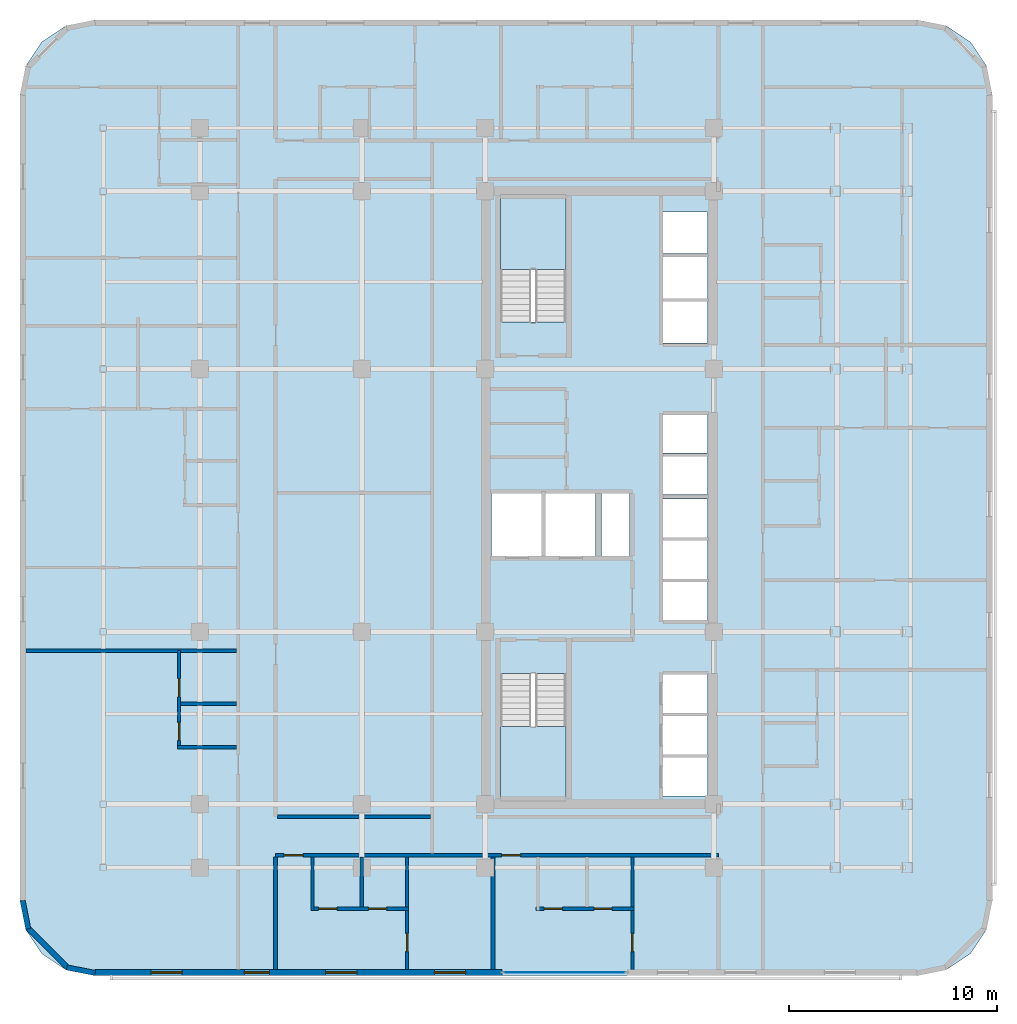
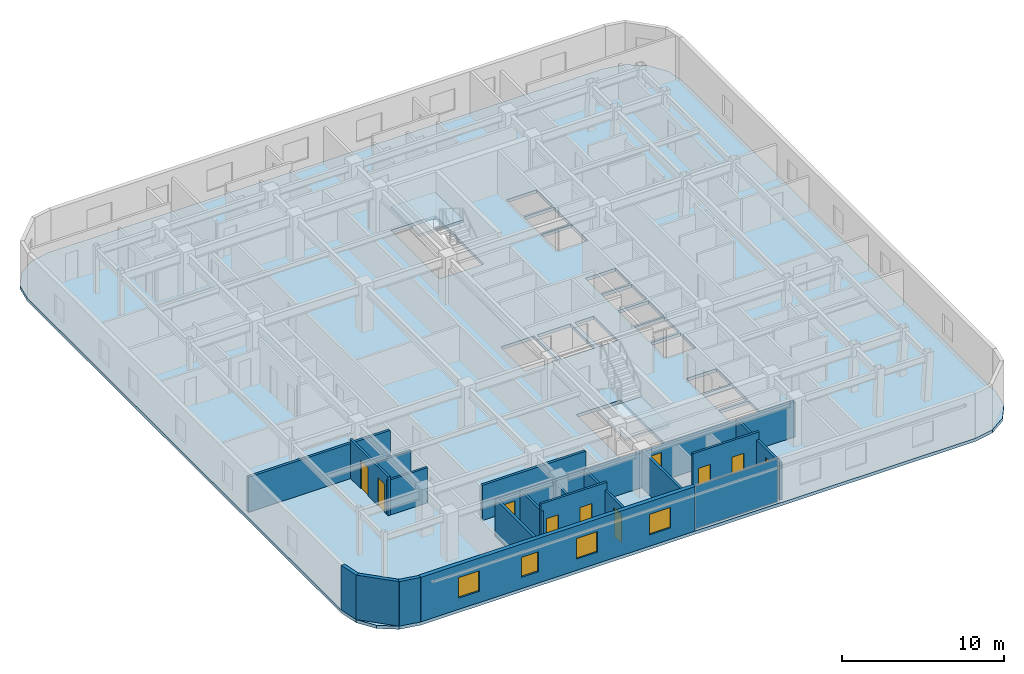
# One storey, part 6 of 15: 18 walls, 10 doors, 4 windows, 3 slabs, 1 plate, 14 openings, 3 elements without a shape of their own.
"""IFC4 building model written with IfcOpenShell, lengths in metres."""

import ifcopenshell
import ifcopenshell.guid

model = None  # the IFC model being written
_history = None  # IfcOwnerHistory: only IFC2X3 demands one
_inside = {}  # id of a spatial element -> (the spatial element, [elements in it])
_under = {}  # id of a project, library or spatial element -> (it, [spatial elements below it])
_declared = {}  # id of a project -> (the project, [libraries it declares])
_typed = {}  # id of a type object -> (the type object, [elements of that type])
_made_of = {}  # id of a material, layer set ... -> (it, [elements and type objects made of it])


def new_model(schema):
    """Start an empty IFC model of exactly this schema.

    Asked for "IFC4X3", IfcOpenShell would pick the latest addendum, in which some entities
    have other attributes; the version numbers below select the first issue.
    IFC2X3 requires an IfcOwnerHistory on every rooted entity: one is made here for all.
    """
    global model, _history
    if schema == "IFC4X3":
        model = ifcopenshell.file(schema_version=(4, 3, 0, 0))
    else:
        model = ifcopenshell.file(schema=schema)
    _inside.clear()
    _under.clear()
    _declared.clear()
    _typed.clear()
    _made_of.clear()
    _history = None
    if model.schema == "IFC2X3":
        org = make("IfcOrganization", Name="unknown")
        user = make(
            "IfcPersonAndOrganization",
            ThePerson=make("IfcPerson", FamilyName="unknown"),
            TheOrganization=org,
        )
        app = make(
            "IfcApplication",
            ApplicationDeveloper=org,
            Version="unknown",
            ApplicationFullName="unknown",
            ApplicationIdentifier="unknown",
        )
        _history = make(
            "IfcOwnerHistory",
            OwningUser=user,
            OwningApplication=app,
            ChangeAction="ADDED",
            CreationDate=0,
        )
    return model


def make(cls, **values):
    """One entity of the class cls with the attributes given. An attribute that is None is left unset."""
    return model.create_entity(
        cls, **{name: value for name, value in values.items() if value is not None}
    )


def rooted(cls, **values):
    """An entity with a GlobalId (a new one), such as an element, a storey or a relation."""
    return make(cls, GlobalId=ifcopenshell.guid.new(), OwnerHistory=_history, **values)


def si_unit(unit_type, name, prefix=None):
    """IfcSIUnit, for example si_unit("LENGTHUNIT", "METRE", prefix="MILLI")."""
    return make("IfcSIUnit", UnitType=unit_type, Prefix=prefix, Name=name)


def assignment(units):
    """IfcUnitAssignment: the units of a project."""
    return None if units is None else make("IfcUnitAssignment", Units=units)


def point(xyz):
    """IfcCartesianPoint."""
    return None if xyz is None else make("IfcCartesianPoint", Coordinates=xyz)


def direction(xyz):
    """IfcDirection."""
    return None if xyz is None else make("IfcDirection", DirectionRatios=xyz)


def frame(location, z_axis=None, x_axis=None):
    """IfcAxis2Placement3D, a coordinate frame: its origin and axes. An axis left out is left unset."""
    return make(
        "IfcAxis2Placement3D",
        Location=point(location),
        Axis=direction(z_axis),
        RefDirection=direction(x_axis),
    )


def frame_2d(location, x_axis=None):
    """IfcAxis2Placement2D, a coordinate frame in the plane: its origin and x axis."""
    return make(
        "IfcAxis2Placement2D", Location=point(location), RefDirection=direction(x_axis)
    )


def origin():
    """The frame at (0, 0, 0) with its axes left unset."""
    return frame((0.0, 0.0, 0.0))


def origin_2d():
    """The frame at (0, 0) in the plane with its x axis left unset."""
    return frame_2d((0.0, 0.0))


def place(relative_to, where):
    """IfcLocalPlacement: puts the frame where relative to a parent placement (None: the world)."""
    return make(
        "IfcLocalPlacement", PlacementRelTo=relative_to, RelativePlacement=where
    )


def context(
    kind, dimensions, precision=None, world=None, true_north=None, identifier=None
):
    """IfcGeometricRepresentationContext, for example the 3D "Model" context."""
    return make(
        "IfcGeometricRepresentationContext",
        ContextIdentifier=identifier,
        ContextType=kind,
        CoordinateSpaceDimension=dimensions,
        Precision=precision,
        WorldCoordinateSystem=world,
        TrueNorth=true_north,
    )


def subcontext(parent, identifier, kind, view, scale=None):
    """IfcGeometricRepresentationSubContext, for example "Body" below "Model"."""
    return make(
        "IfcGeometricRepresentationSubContext",
        ContextIdentifier=identifier,
        ContextType=kind,
        ParentContext=parent,
        TargetScale=scale,
        TargetView=view,
    )


def project(units=None, contexts=None):
    """IfcProject with its units and contexts."""
    return rooted(
        "IfcProject",
        Name="project",
        RepresentationContexts=contexts,
        UnitsInContext=assignment(units),
    )


def spatial(cls, under=None, at=None, **own):
    """A site, building, storey or space (cls), placed at a placement, below another one or the project."""
    s = rooted(cls, ObjectPlacement=at, **own)
    if under is not None:
        _under.setdefault(under.id(), (under, []))[1].append(s)
    return s


def polyline(points):
    """IfcPolyline through the points."""
    return make("IfcPolyline", Points=[point(p) for p in points])


def profile(cls, at=None, kind="AREA", **sizes):
    """A parametric profile (cls). Its sizes go by their IFC names, for example OverallWidth=200.0."""
    return make(cls, ProfileType=kind, Position=at, **sizes)


def rectangle(**sizes):
    """IfcRectangleProfileDef."""
    return profile("IfcRectangleProfileDef", **sizes)


def outline(outer, holes=None, kind="AREA"):
    """IfcArbitraryClosedProfileDef: a profile drawn as a closed curve; with holes, ...WithVoids."""
    if holes is None:
        return make("IfcArbitraryClosedProfileDef", ProfileType=kind, OuterCurve=outer)
    return make(
        "IfcArbitraryProfileDefWithVoids",
        ProfileType=kind,
        OuterCurve=outer,
        InnerCurves=holes,
    )


def extrude(swept, where, along, depth):
    """IfcExtrudedAreaSolid: the profile swept, set in the frame where, extruded along a direction by depth."""
    return make(
        "IfcExtrudedAreaSolid",
        SweptArea=swept,
        Position=where,
        ExtrudedDirection=direction(along),
        Depth=depth,
    )


def shape(context_of_items, identifier, shape_type, items):
    """IfcShapeRepresentation: the items that make up one representation, for example the "Body"."""
    return make(
        "IfcShapeRepresentation",
        ContextOfItems=context_of_items,
        RepresentationIdentifier=identifier,
        RepresentationType=shape_type,
        Items=items,
    )


def material(Name=None, Category=None):
    """IfcMaterial."""
    return make("IfcMaterial", Name=Name, Category=Category)


def layer(
    of_material, thickness, ventilated=None, Name=None, Category=None, Priority=None
):
    """IfcMaterialLayer: one layer of a wall or slab, of a material (None: an air gap)."""
    return make(
        "IfcMaterialLayer",
        Material=of_material,
        LayerThickness=thickness,
        IsVentilated=ventilated,
        Name=Name,
        Category=Category,
        Priority=Priority,
    )


def layer_set(layers, Name=None):
    """IfcMaterialLayerSet."""
    return make("IfcMaterialLayerSet", MaterialLayers=layers, LayerSetName=Name)


def made_of(thing, what):
    """Note that an element or type object is made of a material, layer set ...; save() writes the relation."""
    if what is not None:
        _made_of.setdefault(what.id(), (what, []))[1].append(thing)
    return thing


def type_object(cls, material=None, **own):
    """A type object (cls), such as IfcWallType, which elements share."""
    return made_of(rooted(cls, **own), material)


def element(
    cls,
    number,
    at=None,
    inside=None,
    cuts=None,
    type_object=None,
    material=None,
    context=None,
    identifier="Body",
    shape_type=None,
    held_by="IfcProductDefinitionShape",
    body=None,
    shapes=None,
    **own,
):
    """One element of the class cls, such as IfcWall. Its Tag is "e" and its number.

    at: its placement. inside: the storey or other place that contains it. cuts: it is an
    opening in that element (IfcRelVoidsElement). A single representation is given by context,
    identifier, shape_type and body (its items); several are given by shapes. held_by: the class
    of the entity that holds the representations. save() writes the other relations.
    """
    e = rooted(cls, Tag="e%d" % number, ObjectPlacement=at, **own)
    if body is not None:
        shapes = [shape(context, identifier, shape_type, body)]
    if shapes is not None:
        e.Representation = make(held_by, Representations=shapes)
    if inside is not None:
        _inside.setdefault(inside.id(), (inside, []))[1].append(e)
    if cuts is not None:
        rooted(
            "IfcRelVoidsElement", RelatingBuildingElement=cuts, RelatedOpeningElement=e
        )
    if type_object is not None:
        _typed.setdefault(type_object.id(), (type_object, []))[1].append(e)
    return made_of(e, material)


def fill(opening, filler):
    """IfcRelFillsElement: the door or window that sits in an opening."""
    return rooted(
        "IfcRelFillsElement",
        RelatingOpeningElement=opening,
        RelatedBuildingElement=filler,
    )


def aggregate(whole, parts):
    """IfcRelAggregates: a whole, such as a stair, and the parts it consists of."""
    return rooted("IfcRelAggregates", RelatingObject=whole, RelatedObjects=parts)


def save(model, path):
    """Write the relations noted so far, then the file.

    IfcRelAggregates (storeys below a building ...), IfcRelContainedInSpatialStructure (elements
    in a storey), IfcRelDefinesByType, IfcRelAssociatesMaterial and IfcRelDeclares: one each for
    every whole, place, type object, material and project.
    """
    for whole, parts in _under.values():
        aggregate(whole, parts)
    for where, things in _inside.values():
        rooted(
            "IfcRelContainedInSpatialStructure",
            RelatedElements=things,
            RelatingStructure=where,
        )
    for kind, things in _typed.values():
        rooted("IfcRelDefinesByType", RelatedObjects=things, RelatingType=kind)
    for what, things in _made_of.values():
        rooted("IfcRelAssociatesMaterial", RelatedObjects=things, RelatingMaterial=what)
    for by, libraries in _declared.values():
        rooted("IfcRelDeclares", RelatingContext=by, RelatedDefinitions=libraries)
    model.write(path)


model = new_model("IFC4")

# Units and contexts
model_context = context("Model", 3, precision=1e-05, world=origin(), true_north=direction((0.0, 1.0)))
body_context = subcontext(model_context, "Body", "Model", "MODEL_VIEW")
ifc_project = project(units=[si_unit("LENGTHUNIT", "METRE"), si_unit("AREAUNIT", "SQUARE_METRE"), si_unit("VOLUMEUNIT", "CUBIC_METRE"), si_unit("PLANEANGLEUNIT", "RADIAN"), si_unit("MASSUNIT", "GRAM", prefix="KILO")], contexts=[model_context])

# Site, building, storey
site_placement = place(None, origin())
site = spatial("IfcSite", under=ifc_project, at=site_placement, CompositionType="ELEMENT")
building_placement = place(site_placement, origin())
building = spatial("IfcBuilding", under=site, at=building_placement, Name="Ochreholt Gables", CompositionType="ELEMENT")
storey_placement = place(building_placement, frame((0.0, 0.0, 31.199951171875)))
storey = spatial("IfcBuildingStorey", under=building, at=storey_placement, Name="L07", CompositionType="ELEMENT", Elevation=31.199951171875)

# Curtain wall, plate
ifc_material_1 = material(Name="Unitised Aluminium and Triple Glazing", Category="aluminium")
ifc_layer_1 = layer(ifc_material_1, 0.179931640625, Name="Unitised Aluminium and Triple Glazing")
ifc_layer_set_1 = layer_set([ifc_layer_1], Name="Unitised Aluminium and Triple Glazing")
curtain_wall_type = type_object("IfcCurtainWallType", Name="CW-SYS2", PredefinedType="NOTDEFINED", material=ifc_layer_set_1)
curtain_wall_placement = place(storey_placement, origin())
curtain_wall = element("IfcCurtainWall", 1, at=curtain_wall_placement, inside=storey, type_object=curtain_wall_type, Name="L07 South Unitised Curtain Wall", PredefinedType="NOTDEFINED")
ifc_material_2 = material(Name="Triple Low-E Insulating Glass", Category="glass")
ifc_layer_2 = layer(ifc_material_2, 0.031982421875, Name="Triple Low-E Insulating Glass")
ifc_layer_set_2 = layer_set([ifc_layer_2], Name="Triple Low-E Insulating Glass")
plate_type = type_object("IfcPlateType", Name="CW-PNL-32", PredefinedType="CURTAIN_PANEL", material=ifc_layer_set_2)
plate_placement = place(storey_placement, frame((28.014892578125, 1.14501953125, 0.06494140625), z_axis=(0.0, 0.0, 1.0), x_axis=(1.0, 0.0, 0.0)))
plate = element("IfcPlate", 2, at=plate_placement, type_object=plate_type, Name="CW-2 panel 1.1", PredefinedType="CURTAIN_PANEL", context=body_context, shape_type="SweptSolid", body=[
    extrude(rectangle(XDim=5.89990234375, YDim=0.031982421875, at=origin_2d()), origin(), (0.0, 0.0, 1.0), 3.22998046875),
])
aggregate(curtain_wall, [plate])

# Stair, slab
ifc_material_3 = material(Name="Concrete 40 MPa", Category="concrete")
stair_type_1 = type_object("IfcStairType", Name="STAIR-CORE-ST-1", PredefinedType="HALF_TURN_STAIR", material=ifc_material_3)
stair_1_placement = place(storey_placement, origin())
stair_1 = element("IfcStair", 3, at=stair_1_placement, inside=storey, type_object=stair_type_1, Name="L07 Core Exit Stair 1", PredefinedType="HALF_TURN_STAIR")
ifc_layer_3 = layer(ifc_material_3, 0.199951171875, Name="Concrete 40 MPa")
ifc_layer_set_3 = layer_set([ifc_layer_3], Name="Concrete 40 MPa")
slab_type_1 = type_object("IfcSlabType", Name="LANDING-RC200", PredefinedType="LANDING", material=ifc_layer_set_3)
slab_1_placement = place(storey_placement, frame((0.0, 0.0, 1.60009765625)))
slab_1 = element("IfcSlab", 4, at=slab_1_placement, type_object=slab_type_1, Name="ST-1 landing 1", PredefinedType="LANDING", context=body_context, shape_type="SweptSolid", body=[
    extrude(outline(polyline([(24.919921875, 13.001953125), (24.919921875, 9.52001953125), (28.080078125, 9.52001953125), (28.080078125, 13.001953125), (24.919921875, 13.001953125)])), origin(), (0.0, 0.0, 1.0), 0.199951171875),
])
aggregate(stair_1, [slab_1])

stair_type_2 = type_object("IfcStairType", Name="STAIR-CORE-ST-2", PredefinedType="HALF_TURN_STAIR", material=ifc_material_3)
stair_2_placement = place(storey_placement, origin())
stair_2 = element("IfcStair", 5, at=stair_2_placement, inside=storey, type_object=stair_type_2, Name="L07 Core Exit Stair 2", PredefinedType="HALF_TURN_STAIR")
slab_2_placement = place(storey_placement, frame((0.0, 0.0, 1.60009765625)))
slab_2 = element("IfcSlab", 6, at=slab_2_placement, type_object=slab_type_1, Name="ST-2 landing 1", PredefinedType="LANDING", context=body_context, shape_type="SweptSolid", body=[
    extrude(outline(polyline([(28.080078125, 34.998046875), (28.080078125, 38.47998046875), (24.919921875, 38.47998046875), (24.919921875, 34.998046875), (28.080078125, 34.998046875)])), origin(), (0.0, 0.0, 1.0), 0.199951171875),
])
aggregate(stair_2, [slab_2])

# Slab
ifc_layer_4 = layer(ifc_material_3, 0.239990234375, Name="Concrete 40 MPa")
ifc_layer_set_4 = layer_set([ifc_layer_4], Name="Concrete 40 MPa")
slab_type_2 = type_object("IfcSlabType", Name="SLAB-TWR-240", PredefinedType="FLOOR", material=ifc_layer_set_4)
slab_3_placement = place(storey_placement, frame((0.0, 0.0, -0.239990234375)))
element("IfcSlab", 7, at=slab_3_placement, inside=storey, type_object=slab_type_2, Name="L07 Structural Floor Slab", PredefinedType="FLOOR", context=body_context, shape_type="SweptSolid", body=[
    extrude(outline(polyline([(1.800048828125, 4.60009765625), (2.073974609375, 3.222412109375), (2.8544921875, 2.054443359375), (4.022216796875, 1.27392578125), (5.39990234375, 1.0), (45.0, 1.0), (46.377685546875, 1.27392578125), (47.545654296875, 2.054443359375), (48.325927734375, 3.222412109375), (48.60009765625, 4.60009765625), (48.60009765625, 43.39990234375), (48.325927734375, 44.777587890625), (47.545654296875, 45.945556640625), (46.377685546875, 46.72607421875), (45.0, 47.0), (5.39990234375, 47.0), (4.022216796875, 46.72607421875), (2.8544921875, 45.945556640625), (2.073974609375, 44.777587890625), (1.800048828125, 43.39990234375), (1.800048828125, 4.60009765625)]), holes=[polyline([(24.919921875, 15.539306640625), (24.919921875, 9.52001953125), (28.080078125, 9.52001953125), (28.080078125, 15.539306640625), (24.919921875, 15.539306640625)]), polyline([(28.080078125, 32.460693359375), (28.080078125, 38.47998046875), (24.919921875, 38.47998046875), (24.919921875, 32.460693359375), (28.080078125, 32.460693359375)]), polyline([(24.5, 21.199951171875), (26.89990234375, 21.199951171875), (26.89990234375, 24.199951171875), (24.5, 24.199951171875), (24.5, 21.199951171875)]), polyline([(27.10009765625, 21.199951171875), (29.5, 21.199951171875), (29.5, 24.199951171875), (27.10009765625, 24.199951171875), (27.10009765625, 21.199951171875)]), polyline([(32.75, 9.64990234375), (34.89990234375, 9.64990234375), (34.89990234375, 11.5), (32.75, 11.5), (32.75, 9.64990234375)]), polyline([(32.75, 11.64990234375), (34.89990234375, 11.64990234375), (34.89990234375, 13.5), (32.75, 13.5), (32.75, 11.64990234375)]), polyline([(32.75, 13.64990234375), (34.89990234375, 13.64990234375), (34.89990234375, 15.5), (32.75, 15.5), (32.75, 13.64990234375)]), polyline([(32.75, 18.10009765625), (34.89990234375, 18.10009765625), (34.89990234375, 19.949951171875), (32.75, 19.949951171875), (32.75, 18.10009765625)]), polyline([(32.75, 20.10009765625), (34.89990234375, 20.10009765625), (34.89990234375, 21.949951171875), (32.75, 21.949951171875), (32.75, 20.10009765625)]), polyline([(32.75, 22.10009765625), (34.89990234375, 22.10009765625), (34.89990234375, 23.949951171875), (32.75, 23.949951171875), (32.75, 22.10009765625)]), polyline([(32.75, 24.14990234375), (34.89990234375, 24.14990234375), (34.89990234375, 26.0), (32.75, 26.0), (32.75, 24.14990234375)]), polyline([(32.75, 26.14990234375), (34.89990234375, 26.14990234375), (34.89990234375, 28.0), (32.75, 28.0), (32.75, 26.14990234375)]), polyline([(32.75, 31.449951171875), (34.89990234375, 31.449951171875), (34.89990234375, 33.449951171875), (32.75, 33.449951171875), (32.75, 31.449951171875)]), polyline([(32.75, 33.60009765625), (34.89990234375, 33.60009765625), (34.89990234375, 35.60009765625), (32.75, 35.60009765625), (32.75, 33.60009765625)]), polyline([(32.75, 35.75), (34.89990234375, 35.75), (34.89990234375, 37.75), (32.75, 37.75), (32.75, 35.75)]), polyline([(29.800048828125, 21.199951171875), (31.14990234375, 21.199951171875), (31.14990234375, 24.199951171875), (29.800048828125, 24.199951171875), (29.800048828125, 21.199951171875)])]), origin(), (0.0, 0.0, 1.0), 0.239990234375),
])

# Wall, openings, windows
ifc_material_4 = material(Name="Precast concrete 40 MPa", Category="concrete")
ifc_layer_5 = layer(ifc_material_4, 0.2900390625, Name="Precast concrete 40 MPa")
ifc_layer_set_5 = layer_set([ifc_layer_5], Name="Precast concrete 40 MPa")
wall_type_1 = type_object("IfcWallType", Name="WALL-EXT-290", PredefinedType="SOLIDWALL", material=ifc_layer_set_5)
wall_1_placement = place(storey_placement, frame((5.419921875, 1.14501953125, 0.0), z_axis=(0.0, 0.0, 1.0), x_axis=(1.0, 0.0, 0.0)))
wall_1 = element("IfcWall", 8, at=wall_1_placement, inside=storey, type_object=wall_type_1, Name="L07 South Facade Wall 1", PredefinedType="SOLIDWALL", context=body_context, shape_type="SweptSolid", body=[
    extrude(rectangle(XDim=19.580078125, YDim=0.2900390625, at=frame_2d((9.7900390625, 0.0))), origin(), (0.0, 0.0, 1.0), 3.360107421875),
])
opening_1_placement = place(wall_1_placement, frame((2.68994140625, 0.0, 0.85009765625)))
opening_1 = element("IfcOpeningElement", 9, at=opening_1_placement, cuts=wall_1, Name="Opening WN-2", PredefinedType="OPENING", context=body_context, shape_type="SweptSolid", body=[
    extrude(rectangle(XDim=1.5, YDim=1.550048828125, at=frame_2d((0.75, 0.77490234375))), frame((0.0, 0.155029296875, 0.0), z_axis=(0.0, -1.0, 0.0), x_axis=(1.0, 0.0, 0.0)), (0.0, 0.0, 1.0), 0.31005859375),
])
opening_2_placement = place(wall_1_placement, frame((7.179931640625, 0.0, 0.85009765625)))
opening_2 = element("IfcOpeningElement", 10, at=opening_2_placement, cuts=wall_1, Name="Opening WN-3", PredefinedType="OPENING", context=body_context, shape_type="SweptSolid", body=[
    extrude(rectangle(XDim=1.199951171875, YDim=1.5, at=frame_2d((0.60009765625, 0.75))), frame((0.0, 0.155029296875, 0.0), z_axis=(0.0, -1.0, 0.0), x_axis=(1.0, 0.0, 0.0)), (0.0, 0.0, 1.0), 0.31005859375),
])
opening_3_placement = place(wall_1_placement, frame((11.09521484375, 0.0, 0.85009765625)))
opening_3 = element("IfcOpeningElement", 11, at=opening_3_placement, cuts=wall_1, Name="Opening WN-2", PredefinedType="OPENING", context=body_context, shape_type="SweptSolid", body=[
    extrude(rectangle(XDim=1.5, YDim=1.550048828125, at=frame_2d((0.75, 0.77490234375))), frame((0.0, 0.155029296875, 0.0), z_axis=(0.0, -1.0, 0.0), x_axis=(1.0, 0.0, 0.0)), (0.0, 0.0, 1.0), 0.31005859375),
])
opening_4_placement = place(wall_1_placement, frame((16.330322265625, 0.0, 0.85009765625)))
opening_4 = element("IfcOpeningElement", 12, at=opening_4_placement, cuts=wall_1, Name="Opening WN-2", PredefinedType="OPENING", context=body_context, shape_type="SweptSolid", body=[
    extrude(rectangle(XDim=1.5, YDim=1.550048828125, at=frame_2d((0.75, 0.77490234375))), frame((0.0, 0.155029296875, 0.0), z_axis=(0.0, -1.0, 0.0), x_axis=(1.0, 0.0, 0.0)), (0.0, 0.0, 1.0), 0.31005859375),
])
ifc_material_5 = material(Name="Triple-Glazed Thermally Broken Aluminium Window", Category="aluminium")
window_type_1 = type_object("IfcWindowType", Name="WIN-RES-1200", PartitioningType="SINGLE_PANEL", PredefinedType="WINDOW", material=ifc_material_5)
window_1_placement = place(opening_2_placement, origin())
window_1 = element("IfcWindow", 13, at=window_1_placement, inside=storey, type_object=window_type_1, Name="L07 Window W-EXT-S1-L07-2", OverallHeight=1.5, OverallWidth=1.199951171875, PartitioningType="SINGLE_PANEL", PredefinedType="WINDOW", context=body_context, shape_type="SweptSolid", body=[
    extrude(rectangle(XDim=1.199951171875, YDim=1.5, at=frame_2d((0.60009765625, 0.75))), frame((0.0, 0.030029296875, 0.0), z_axis=(0.0, -1.0, 0.0), x_axis=(1.0, 0.0, 0.0)), (0.0, 0.0, 1.0), 0.06005859375),
])
fill(opening_2, window_1)
window_type_2 = type_object("IfcWindowType", Name="WIN-RES-1500", PartitioningType="SINGLE_PANEL", PredefinedType="WINDOW", material=ifc_material_5)
window_2_placement = place(opening_1_placement, origin())
window_2 = element("IfcWindow", 14, at=window_2_placement, inside=storey, type_object=window_type_2, Name="L07 Window W-EXT-S1-L07-1", OverallHeight=1.550048828125, OverallWidth=1.5, PartitioningType="SINGLE_PANEL", PredefinedType="WINDOW", context=body_context, shape_type="SweptSolid", body=[
    extrude(rectangle(XDim=1.5, YDim=1.550048828125, at=frame_2d((0.75, 0.77490234375))), frame((0.0, 0.030029296875, 0.0), z_axis=(0.0, -1.0, 0.0), x_axis=(1.0, 0.0, 0.0)), (0.0, 0.0, 1.0), 0.06005859375),
])
fill(opening_1, window_2)
window_3_placement = place(opening_3_placement, origin())
window_3 = element("IfcWindow", 15, at=window_3_placement, inside=storey, type_object=window_type_2, Name="L07 Window W-EXT-S1-L07-3", OverallHeight=1.550048828125, OverallWidth=1.5, PartitioningType="SINGLE_PANEL", PredefinedType="WINDOW", context=body_context, shape_type="SweptSolid", body=[
    extrude(rectangle(XDim=1.5, YDim=1.550048828125, at=frame_2d((0.75, 0.77490234375))), frame((0.0, 0.030029296875, 0.0), z_axis=(0.0, -1.0, 0.0), x_axis=(1.0, 0.0, 0.0)), (0.0, 0.0, 1.0), 0.06005859375),
])
fill(opening_3, window_3)
window_4_placement = place(opening_4_placement, origin())
window_4 = element("IfcWindow", 16, at=window_4_placement, inside=storey, type_object=window_type_2, Name="L07 Window W-EXT-S1-L07-4", OverallHeight=1.550048828125, OverallWidth=1.5, PartitioningType="SINGLE_PANEL", PredefinedType="WINDOW", context=body_context, shape_type="SweptSolid", body=[
    extrude(rectangle(XDim=1.5, YDim=1.550048828125, at=frame_2d((0.75, 0.77490234375))), frame((0.0, 0.030029296875, 0.0), z_axis=(0.0, -1.0, 0.0), x_axis=(1.0, 0.0, 0.0)), (0.0, 0.0, 1.0), 0.06005859375),
])
fill(opening_4, window_4)

# Walls
ifc_layer_6 = layer(ifc_material_4, 0.25, Name="Precast concrete 40 MPa")
ifc_layer_set_6 = layer_set([ifc_layer_6], Name="Precast concrete 40 MPa")
wall_type_2 = type_object("IfcWallType", Name="WALL-EXT-CNR", PredefinedType="SOLIDWALL", material=ifc_layer_set_6)
wall_2_placement = place(storey_placement, frame((1.92431640625, 4.616455078125, 0.0), z_axis=(0.0, 0.0, 1.0), x_axis=(0.19496651342, -0.980809899341, 0.0)))
element("IfcWall", 17, at=wall_2_placement, inside=storey, type_object=wall_type_2, Name="L07 Rounded Corner Wall SW-1", PredefinedType="SOLIDWALL", context=body_context, shape_type="SweptSolid", body=[
    extrude(rectangle(XDim=1.388671875, YDim=0.25, at=frame_2d((0.6943359375, 0.0))), origin(), (0.0, 0.0, 1.0), 3.360107421875),
])
wall_3_placement = place(storey_placement, frame((2.16796875, 3.304931640625, 0.0), z_axis=(0.0, 0.0, 1.0), x_axis=(0.707106781187, -0.707106781187, 0.0)))
element("IfcWall", 18, at=wall_3_placement, inside=storey, type_object=wall_type_2, Name="L07 Rounded Corner Wall SW-2", PredefinedType="SOLIDWALL", context=body_context, shape_type="SweptSolid", body=[
    extrude(rectangle(XDim=2.7392578125, YDim=0.25, at=frame_2d((1.36962890625, 0.0))), origin(), (0.0, 0.0, 1.0), 3.360107421875),
])
wall_4_placement = place(storey_placement, frame((4.054443359375, 1.39501953125, 0.0), z_axis=(0.0, 0.0, 1.0), x_axis=(0.980809899341, -0.19496651342, 0.0)))
element("IfcWall", 19, at=wall_4_placement, inside=storey, type_object=wall_type_2, Name="L07 Rounded Corner Wall SW-3", PredefinedType="SOLIDWALL", context=body_context, shape_type="SweptSolid", body=[
    extrude(rectangle(XDim=1.388671875, YDim=0.25, at=frame_2d((0.6943359375, 0.0))), origin(), (0.0, 0.0, 1.0), 3.360107421875),
])

# Wall, openings, doors
ifc_material_6 = material(Name="Fire-Rated Gypsum Acoustic Partition", Category="gypsum")
ifc_layer_7 = layer(ifc_material_6, 0.179931640625, Name="Fire-Rated Gypsum Acoustic Partition")
ifc_layer_set_7 = layer_set([ifc_layer_7], Name="Fire-Rated Gypsum Acoustic Partition")
wall_type_3 = type_object("IfcWallType", Name="WALL-INT-CR180", PredefinedType="STANDARD", material=ifc_layer_set_7)
wall_5_placement = place(storey_placement, frame((14.10009765625, 6.800048828125, 0.0), z_axis=(0.0, 0.0, 1.0), x_axis=(1.0, 0.0, 0.0)))
wall_5 = element("IfcWall", 20, at=wall_5_placement, inside=storey, type_object=wall_type_3, Name="L07 Interior Wall WI-C1S-L07", PredefinedType="STANDARD", context=body_context, shape_type="SweptSolid", body=[
    extrude(rectangle(XDim=21.31982421875, YDim=0.179931640625, at=frame_2d((10.659912109375, 0.0))), origin(), (0.0, 0.0, 1.0), 2.649169921875),
])
opening_5_placement = place(wall_5_placement, frame((0.409912109375, 0.0, 0.0)))
opening_5 = element("IfcOpeningElement", 21, at=opening_5_placement, cuts=wall_5, Name="Opening D-UN1", PredefinedType="OPENING", context=body_context, shape_type="SweptSolid", body=[
    extrude(rectangle(XDim=0.919921875, YDim=2.14990234375, at=frame_2d((0.4599609375, 1.074951171875))), frame((0.0, 0.099853515625, 0.0), z_axis=(0.0, -1.0, 0.0), x_axis=(1.0, 0.0, 0.0)), (0.0, 0.0, 1.0), 0.199951171875),
])
opening_6_placement = place(wall_5_placement, frame((10.88037109375, 0.0, 0.0)))
opening_6 = element("IfcOpeningElement", 22, at=opening_6_placement, cuts=wall_5, Name="Opening D-UN1", PredefinedType="OPENING", context=body_context, shape_type="SweptSolid", body=[
    extrude(rectangle(XDim=0.919921875, YDim=2.14990234375, at=frame_2d((0.4599609375, 1.074951171875))), frame((0.0, 0.099853515625, 0.0), z_axis=(0.0, -1.0, 0.0), x_axis=(1.0, 0.0, 0.0)), (0.0, 0.0, 1.0), 0.199951171875),
])
ifc_material_7 = material(Name="Engineered Oak Timber", Category="wood")
door_type_1 = type_object("IfcDoorType", Name="DR-INT-UNT920", OperationType="NOTDEFINED", PredefinedType="DOOR", material=ifc_material_7)
door_1_placement = place(opening_5_placement, origin())
door_1 = element("IfcDoor", 23, at=door_1_placement, inside=storey, type_object=door_type_1, Name="L07 Door D-U-L07S1-ENT", OperationType="SINGLE_SWING_LEFT", OverallHeight=2.14990234375, OverallWidth=0.919921875, PredefinedType="DOOR", context=body_context, shape_type="SweptSolid", body=[
    extrude(rectangle(XDim=0.919921875, YDim=2.14990234375, at=frame_2d((0.4599609375, 1.074951171875))), frame((0.0, 0.02490234375, 0.0), z_axis=(0.0, -1.0, 0.0), x_axis=(1.0, 0.0, 0.0)), (0.0, 0.0, 1.0), 0.050048828125),
])
fill(opening_5, door_1)
door_2_placement = place(opening_6_placement, origin())
door_2 = element("IfcDoor", 24, at=door_2_placement, inside=storey, type_object=door_type_1, Name="L07 Door D-U-L07S2-ENT", OperationType="SINGLE_SWING_LEFT", OverallHeight=2.14990234375, OverallWidth=0.919921875, PredefinedType="DOOR", context=body_context, shape_type="SweptSolid", body=[
    extrude(rectangle(XDim=0.919921875, YDim=2.14990234375, at=frame_2d((0.4599609375, 1.074951171875))), frame((0.0, 0.02490234375, 0.0), z_axis=(0.0, -1.0, 0.0), x_axis=(1.0, 0.0, 0.0)), (0.0, 0.0, 1.0), 0.050048828125),
])
fill(opening_6, door_2)

# Walls
wall_6_placement = place(storey_placement, frame((14.18994140625, 8.64990234375, 0.0), z_axis=(0.0, 0.0, 1.0), x_axis=(1.0, 0.0, 0.0)))
element("IfcWall", 25, at=wall_6_placement, inside=storey, type_object=wall_type_3, Name="L07 Interior Wall WI-C1S2W-L07", PredefinedType="STANDARD", context=body_context, shape_type="SweptSolid", body=[
    extrude(rectangle(XDim=7.3701171875, YDim=0.179931640625, at=frame_2d((3.68505859375, 0.0))), origin(), (0.0, 0.0, 1.0), 2.649169921875),
])
ifc_material_8 = material(Name="Double-Stud Acoustic Demising Wall", Category="gypsum")
ifc_layer_8 = layer(ifc_material_8, 0.179931640625, Name="Double-Stud Acoustic Demising Wall")
ifc_layer_set_8 = layer_set([ifc_layer_8], Name="Double-Stud Acoustic Demising Wall")
wall_type_4 = type_object("IfcWallType", Name="WALL-INT-DM180", PredefinedType="PARTITIONING", material=ifc_layer_set_8)
wall_7_placement = place(storey_placement, frame((14.10009765625, 1.2900390625, 0.0), z_axis=(0.0, 0.0, 1.0), x_axis=(0.0, 1.0, 0.0)))
element("IfcWall", 26, at=wall_7_placement, inside=storey, type_object=wall_type_4, Name="L07 Interior Wall WI-C1WSI-L07", PredefinedType="PARTITIONING", context=body_context, shape_type="SweptSolid", body=[
    extrude(rectangle(XDim=5.419921875, YDim=0.179931640625, at=frame_2d((2.7099609375, 0.0))), origin(), (0.0, 0.0, 1.0), 2.80908203125),
])
wall_8_placement = place(storey_placement, frame((2.090087890625, 16.639892578125, 0.0), z_axis=(0.0, 0.0, 1.0), x_axis=(1.0, 0.0, 0.0)))
element("IfcWall", 27, at=wall_8_placement, inside=storey, type_object=wall_type_4, Name="L07 Interior Wall WI-UDW2-L07", PredefinedType="PARTITIONING", context=body_context, shape_type="SweptSolid", body=[
    extrude(rectangle(XDim=10.119873046875, YDim=0.179931640625, at=frame_2d((5.06005859375, 0.0))), origin(), (0.0, 0.0, 1.0), 2.649169921875),
])
wall_9_placement = place(storey_placement, frame((24.5703125, 1.2900390625, 0.0), z_axis=(0.0, 0.0, 1.0), x_axis=(0.0, 1.0, 0.0)))
element("IfcWall", 28, at=wall_9_placement, inside=storey, type_object=wall_type_4, Name="L07 Interior Wall WI-UDS-L07", PredefinedType="PARTITIONING", context=body_context, shape_type="SweptSolid", body=[
    extrude(rectangle(XDim=5.419921875, YDim=0.179931640625, at=frame_2d((2.7099609375, 0.0))), origin(), (0.0, 0.0, 1.0), 2.80908203125),
])
ifc_material_9 = material(Name="Moisture-Resistant Plumbing Chase Wall", Category="gypsum")
ifc_layer_9 = layer(ifc_material_9, 0.159912109375, Name="Moisture-Resistant Plumbing Chase Wall")
ifc_layer_set_9 = layer_set([ifc_layer_9], Name="Moisture-Resistant Plumbing Chase Wall")
wall_type_5 = type_object("IfcWallType", Name="WALL-INT-PL160", PredefinedType="PLUMBINGWALL", material=ifc_layer_set_9)
wall_10_placement = place(storey_placement, frame((9.3759765625, 12.0, 0.0), z_axis=(0.0, 0.0, 1.0), x_axis=(1.0, 0.0, 0.0)))
element("IfcWall", 29, at=wall_10_placement, inside=storey, type_object=wall_type_5, Name="L07 Interior Wall WU-L07W1-WYS", PredefinedType="PLUMBINGWALL", context=body_context, shape_type="SweptSolid", body=[
    extrude(rectangle(XDim=2.833984375, YDim=0.159912109375, at=frame_2d((1.4169921875, 0.0))), origin(), (0.0, 0.0, 1.0), 2.649169921875),
])

# Wall, openings, doors
wall_11_placement = place(storey_placement, frame((9.4560546875, 11.909912109375, 0.0), z_axis=(0.0, 0.0, 1.0), x_axis=(0.0, 1.0, 0.0)))
wall_11 = element("IfcWall", 30, at=wall_11_placement, inside=storey, type_object=wall_type_5, Name="L07 Interior Wall WU-L07W1-WX", PredefinedType="PLUMBINGWALL", context=body_context, shape_type="SweptSolid", body=[
    extrude(rectangle(XDim=4.72998046875, YDim=0.159912109375, at=frame_2d((2.364990234375, 0.0))), origin(), (0.0, 0.0, 1.0), 2.93212890625),
])
opening_7_placement = place(wall_11_placement, frame((0.419921875, 0.0, 0.0)))
opening_7 = element("IfcOpeningElement", 31, at=opening_7_placement, cuts=wall_11, Name="Opening D-BT1", PredefinedType="OPENING", context=body_context, shape_type="SweptSolid", body=[
    extrude(rectangle(XDim=0.860107421875, YDim=2.1201171875, at=frame_2d((0.43017578125, 1.06005859375))), frame((0.0, 0.08984375, 0.0), z_axis=(0.0, -1.0, 0.0), x_axis=(1.0, 0.0, 0.0)), (0.0, 0.0, 1.0), 0.179931640625),
])
opening_8_placement = place(wall_11_placement, frame((2.512939453125, 0.0, 0.0)))
opening_8 = element("IfcOpeningElement", 32, at=opening_8_placement, cuts=wall_11, Name="Opening D-GN2", PredefinedType="OPENING", context=body_context, shape_type="SweptSolid", body=[
    extrude(rectangle(XDim=0.8798828125, YDim=2.1201171875, at=frame_2d((0.43994140625, 1.06005859375))), frame((0.0, 0.08984375, 0.0), z_axis=(0.0, -1.0, 0.0), x_axis=(1.0, 0.0, 0.0)), (0.0, 0.0, 1.0), 0.179931640625),
])
door_type_2 = type_object("IfcDoorType", Name="DR-INT-BTH860", OperationType="NOTDEFINED", PredefinedType="DOOR", material=ifc_material_7)
door_3_placement = place(opening_7_placement, origin())
door_3 = element("IfcDoor", 33, at=door_3_placement, inside=storey, type_object=door_type_2, Name="L07 Door D-U-L07W1-BTH", OperationType="SINGLE_SWING_RIGHT", OverallHeight=2.1201171875, OverallWidth=0.860107421875, PredefinedType="DOOR", context=body_context, shape_type="SweptSolid", body=[
    extrude(rectangle(XDim=0.860107421875, YDim=2.1201171875, at=frame_2d((0.43017578125, 1.06005859375))), frame((0.0, 0.02490234375, 0.0), z_axis=(0.0, -1.0, 0.0), x_axis=(1.0, 0.0, 0.0)), (0.0, 0.0, 1.0), 0.050048828125),
])
fill(opening_7, door_3)
door_type_3 = type_object("IfcDoorType", Name="DR-INT-GEN880", OperationType="NOTDEFINED", PredefinedType="DOOR", material=ifc_material_7)
door_4_placement = place(opening_8_placement, origin())
door_4 = element("IfcDoor", 34, at=door_4_placement, inside=storey, type_object=door_type_3, Name="L07 Door D-U-L07W1-KIT", OperationType="SINGLE_SWING_LEFT", OverallHeight=2.1201171875, OverallWidth=0.8798828125, PredefinedType="DOOR", context=body_context, shape_type="SweptSolid", body=[
    extrude(rectangle(XDim=0.8798828125, YDim=2.1201171875, at=frame_2d((0.43994140625, 1.06005859375))), frame((0.0, 0.02490234375, 0.0), z_axis=(0.0, -1.0, 0.0), x_axis=(1.0, 0.0, 0.0)), (0.0, 0.0, 1.0), 0.050048828125),
])
fill(opening_8, door_4)

# Wall
wall_12_placement = place(storey_placement, frame((9.535888671875, 14.093017578125, 0.0), z_axis=(0.0, 0.0, 1.0), x_axis=(1.0, 0.0, 0.0)))
element("IfcWall", 35, at=wall_12_placement, inside=storey, type_object=wall_type_5, Name="L07 Interior Wall WU-L07W1-WM", PredefinedType="PLUMBINGWALL", context=body_context, shape_type="SweptSolid", body=[
    extrude(rectangle(XDim=2.674072265625, YDim=0.159912109375, at=frame_2d((1.3369140625, 0.0))), origin(), (0.0, 0.0, 1.0), 2.649169921875),
])

# Wall, openings, doors
wall_13_placement = place(storey_placement, frame((15.80029296875, 4.21240234375, 0.0), z_axis=(0.0, 0.0, 1.0), x_axis=(1.0, 0.0, 0.0)))
wall_13 = element("IfcWall", 36, at=wall_13_placement, inside=storey, type_object=wall_type_5, Name="L07 Interior Wall WU-L07S1-WY", PredefinedType="PLUMBINGWALL", context=body_context, shape_type="SweptSolid", body=[
    extrude(rectangle(XDim=4.710205078125, YDim=0.159912109375, at=frame_2d((2.35498046875, 0.0))), origin(), (0.0, 0.0, 1.0), 3.360107421875),
])
opening_9_placement = place(wall_13_placement, frame((0.3798828125, 0.0, 0.0)))
opening_9 = element("IfcOpeningElement", 37, at=opening_9_placement, cuts=wall_13, Name="Opening D-GN2", PredefinedType="OPENING", context=body_context, shape_type="SweptSolid", body=[
    extrude(rectangle(XDim=0.8798828125, YDim=2.1201171875, at=frame_2d((0.43994140625, 1.06005859375))), frame((0.0, 0.08984375, 0.0), z_axis=(0.0, -1.0, 0.0), x_axis=(1.0, 0.0, 0.0)), (0.0, 0.0, 1.0), 0.179931640625),
])
opening_10_placement = place(wall_13_placement, frame((2.785888671875, 0.0, 0.0)))
opening_10 = element("IfcOpeningElement", 38, at=opening_10_placement, cuts=wall_13, Name="Opening D-BT1", PredefinedType="OPENING", context=body_context, shape_type="SweptSolid", body=[
    extrude(rectangle(XDim=0.860107421875, YDim=2.1201171875, at=frame_2d((0.43017578125, 1.06005859375))), frame((0.0, 0.08984375, 0.0), z_axis=(0.0, -1.0, 0.0), x_axis=(1.0, 0.0, 0.0)), (0.0, 0.0, 1.0), 0.179931640625),
])
door_5_placement = place(opening_10_placement, origin())
door_5 = element("IfcDoor", 39, at=door_5_placement, inside=storey, type_object=door_type_2, Name="L07 Door D-U-L07S1-BTH", OperationType="SINGLE_SWING_LEFT", OverallHeight=2.1201171875, OverallWidth=0.860107421875, PredefinedType="DOOR", context=body_context, shape_type="SweptSolid", body=[
    extrude(rectangle(XDim=0.860107421875, YDim=2.1201171875, at=frame_2d((0.43017578125, 1.06005859375))), frame((0.0, 0.02490234375, 0.0), z_axis=(0.0, -1.0, 0.0), x_axis=(1.0, 0.0, 0.0)), (0.0, 0.0, 1.0), 0.050048828125),
])
fill(opening_10, door_5)
door_6_placement = place(opening_9_placement, origin())
door_6 = element("IfcDoor", 40, at=door_6_placement, inside=storey, type_object=door_type_3, Name="L07 Door D-U-L07S1-KIT", OperationType="SINGLE_SWING_RIGHT", OverallHeight=2.1201171875, OverallWidth=0.8798828125, PredefinedType="DOOR", context=body_context, shape_type="SweptSolid", body=[
    extrude(rectangle(XDim=0.8798828125, YDim=2.1201171875, at=frame_2d((0.43994140625, 1.06005859375))), frame((0.0, 0.02490234375, 0.0), z_axis=(0.0, -1.0, 0.0), x_axis=(1.0, 0.0, 0.0)), (0.0, 0.0, 1.0), 0.050048828125),
])
fill(opening_9, door_6)

# Walls
wall_14_placement = place(storey_placement, frame((15.88037109375, 4.132568359375, 0.0), z_axis=(0.0, 0.0, 1.0), x_axis=(0.0, 1.0, 0.0)))
element("IfcWall", 41, at=wall_14_placement, inside=storey, type_object=wall_type_5, Name="L07 Interior Wall WU-L07S1-FY", PredefinedType="PLUMBINGWALL", context=body_context, shape_type="SweptSolid", body=[
    extrude(rectangle(XDim=2.577392578125, YDim=0.159912109375, at=frame_2d((1.28857421875, 0.0))), origin(), (0.0, 0.0, 1.0), 2.80908203125),
])
wall_15_placement = place(storey_placement, frame((18.246337890625, 4.29248046875, 0.0), z_axis=(0.0, 0.0, 1.0), x_axis=(0.0, 1.0, 0.0)))
element("IfcWall", 42, at=wall_15_placement, inside=storey, type_object=wall_type_5, Name="L07 Interior Wall WU-L07S1-WK", PredefinedType="PLUMBINGWALL", context=body_context, shape_type="SweptSolid", body=[
    extrude(rectangle(XDim=2.41748046875, YDim=0.159912109375, at=frame_2d((1.208740234375, 0.0))), origin(), (0.0, 0.0, 1.0), 2.649169921875),
])

# Wall, openings, doors
wall_16_placement = place(storey_placement, frame((26.64990234375, 4.21240234375, 0.0), z_axis=(0.0, 0.0, 1.0), x_axis=(1.0, 0.0, 0.0)))
wall_16 = element("IfcWall", 43, at=wall_16_placement, inside=storey, type_object=wall_type_5, Name="L07 Interior Wall WU-L07S2-WY", PredefinedType="PLUMBINGWALL", context=body_context, shape_type="SweptSolid", body=[
    extrude(rectangle(XDim=4.710205078125, YDim=0.159912109375, at=frame_2d((2.35498046875, 0.0))), origin(), (0.0, 0.0, 1.0), 3.360107421875),
])
opening_11_placement = place(wall_16_placement, frame((0.3798828125, 0.0, 0.0)))
opening_11 = element("IfcOpeningElement", 44, at=opening_11_placement, cuts=wall_16, Name="Opening D-GN2", PredefinedType="OPENING", context=body_context, shape_type="SweptSolid", body=[
    extrude(rectangle(XDim=0.8798828125, YDim=2.1201171875, at=frame_2d((0.43994140625, 1.06005859375))), frame((0.0, 0.08984375, 0.0), z_axis=(0.0, -1.0, 0.0), x_axis=(1.0, 0.0, 0.0)), (0.0, 0.0, 1.0), 0.179931640625),
])
opening_12_placement = place(wall_16_placement, frame((2.785888671875, 0.0, 0.0)))
opening_12 = element("IfcOpeningElement", 45, at=opening_12_placement, cuts=wall_16, Name="Opening D-BT1", PredefinedType="OPENING", context=body_context, shape_type="SweptSolid", body=[
    extrude(rectangle(XDim=0.860107421875, YDim=2.1201171875, at=frame_2d((0.43017578125, 1.06005859375))), frame((0.0, 0.08984375, 0.0), z_axis=(0.0, -1.0, 0.0), x_axis=(1.0, 0.0, 0.0)), (0.0, 0.0, 1.0), 0.179931640625),
])
door_7_placement = place(opening_12_placement, origin())
door_7 = element("IfcDoor", 46, at=door_7_placement, inside=storey, type_object=door_type_2, Name="L07 Door D-U-L07S2-BTH", OperationType="SINGLE_SWING_LEFT", OverallHeight=2.1201171875, OverallWidth=0.860107421875, PredefinedType="DOOR", context=body_context, shape_type="SweptSolid", body=[
    extrude(rectangle(XDim=0.860107421875, YDim=2.1201171875, at=frame_2d((0.43017578125, 1.06005859375))), frame((0.0, 0.02490234375, 0.0), z_axis=(0.0, -1.0, 0.0), x_axis=(1.0, 0.0, 0.0)), (0.0, 0.0, 1.0), 0.050048828125),
])
fill(opening_12, door_7)
door_8_placement = place(opening_11_placement, origin())
door_8 = element("IfcDoor", 47, at=door_8_placement, inside=storey, type_object=door_type_3, Name="L07 Door D-U-L07S2-KIT", OperationType="SINGLE_SWING_RIGHT", OverallHeight=2.1201171875, OverallWidth=0.8798828125, PredefinedType="DOOR", context=body_context, shape_type="SweptSolid", body=[
    extrude(rectangle(XDim=0.8798828125, YDim=2.1201171875, at=frame_2d((0.43994140625, 1.06005859375))), frame((0.0, 0.02490234375, 0.0), z_axis=(0.0, -1.0, 0.0), x_axis=(1.0, 0.0, 0.0)), (0.0, 0.0, 1.0), 0.050048828125),
])
fill(opening_11, door_8)

# Wall, opening, door
ifc_material_10 = material(Name="Gypsum Acoustic Stud Partition", Category="gypsum")
ifc_layer_10 = layer(ifc_material_10, 0.159912109375, Name="Gypsum Acoustic Stud Partition")
ifc_layer_set_10 = layer_set([ifc_layer_10], Name="Gypsum Acoustic Stud Partition")
wall_type_6 = type_object("IfcWallType", Name="WALL-INT-PT160", PredefinedType="PARTITIONING", material=ifc_layer_set_10)
wall_17_placement = place(storey_placement, frame((20.430419921875, 1.2900390625, 0.0), z_axis=(0.0, 0.0, 1.0), x_axis=(0.0, 1.0, 0.0)))
wall_17 = element("IfcWall", 48, at=wall_17_placement, inside=storey, type_object=wall_type_6, Name="L07 Interior Wall WU-L07S1-MNX", PredefinedType="PARTITIONING", context=body_context, shape_type="SweptSolid", body=[
    extrude(rectangle(XDim=5.419921875, YDim=0.159912109375, at=frame_2d((2.7099609375, 0.0))), origin(), (0.0, 0.0, 1.0), 2.80908203125),
])
opening_13_placement = place(wall_17_placement, frame((0.861328125, 0.0, 0.0)))
opening_13 = element("IfcOpeningElement", 49, at=opening_13_placement, cuts=wall_17, Name="Opening D-BD2", PredefinedType="OPENING", context=body_context, shape_type="SweptSolid", body=[
    extrude(rectangle(XDim=0.8798828125, YDim=2.139892578125, at=frame_2d((0.43994140625, 1.06982421875))), frame((0.0, 0.08984375, 0.0), z_axis=(0.0, -1.0, 0.0), x_axis=(1.0, 0.0, 0.0)), (0.0, 0.0, 1.0), 0.179931640625),
])
door_type_4 = type_object("IfcDoorType", Name="DR-INT-BED880", OperationType="NOTDEFINED", PredefinedType="DOOR", material=ifc_material_7)
door_9_placement = place(opening_13_placement, origin())
door_9 = element("IfcDoor", 50, at=door_9_placement, inside=storey, type_object=door_type_4, Name="L07 Door D-U-L07S1-BD1", OperationType="SINGLE_SWING_RIGHT", OverallHeight=2.139892578125, OverallWidth=0.8798828125, PredefinedType="DOOR", context=body_context, shape_type="SweptSolid", body=[
    extrude(rectangle(XDim=0.8798828125, YDim=2.139892578125, at=frame_2d((0.43994140625, 1.06982421875))), frame((0.0, 0.02490234375, 0.0), z_axis=(0.0, -1.0, 0.0), x_axis=(1.0, 0.0, 0.0)), (0.0, 0.0, 1.0), 0.050048828125),
])
fill(opening_13, door_9)

wall_18_placement = place(storey_placement, frame((31.280029296875, 1.2900390625, 0.0), z_axis=(0.0, 0.0, 1.0), x_axis=(0.0, 1.0, 0.0)))
wall_18 = element("IfcWall", 51, at=wall_18_placement, inside=storey, type_object=wall_type_6, Name="L07 Interior Wall WU-L07S2-MNX", PredefinedType="PARTITIONING", context=body_context, shape_type="SweptSolid", body=[
    extrude(rectangle(XDim=5.419921875, YDim=0.159912109375, at=frame_2d((2.7099609375, 0.0))), origin(), (0.0, 0.0, 1.0), 2.80908203125),
])
opening_14_placement = place(wall_18_placement, frame((0.861328125, 0.0, 0.0)))
opening_14 = element("IfcOpeningElement", 52, at=opening_14_placement, cuts=wall_18, Name="Opening D-BD2", PredefinedType="OPENING", context=body_context, shape_type="SweptSolid", body=[
    extrude(rectangle(XDim=0.8798828125, YDim=2.139892578125, at=frame_2d((0.43994140625, 1.06982421875))), frame((0.0, 0.08984375, 0.0), z_axis=(0.0, -1.0, 0.0), x_axis=(1.0, 0.0, 0.0)), (0.0, 0.0, 1.0), 0.179931640625),
])
door_10_placement = place(opening_14_placement, origin())
door_10 = element("IfcDoor", 53, at=door_10_placement, inside=storey, type_object=door_type_4, Name="L07 Door D-U-L07S2-BD1", OperationType="SINGLE_SWING_RIGHT", OverallHeight=2.139892578125, OverallWidth=0.8798828125, PredefinedType="DOOR", context=body_context, shape_type="SweptSolid", body=[
    extrude(rectangle(XDim=0.8798828125, YDim=2.139892578125, at=frame_2d((0.43994140625, 1.06982421875))), frame((0.0, 0.02490234375, 0.0), z_axis=(0.0, -1.0, 0.0), x_axis=(1.0, 0.0, 0.0)), (0.0, 0.0, 1.0), 0.050048828125),
])
fill(opening_14, door_10)

save(model, "model.ifc")
